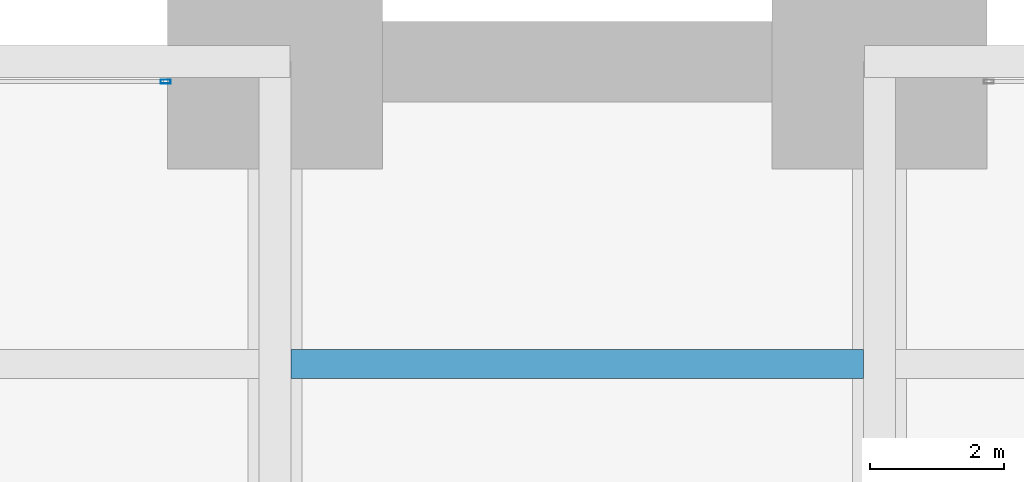
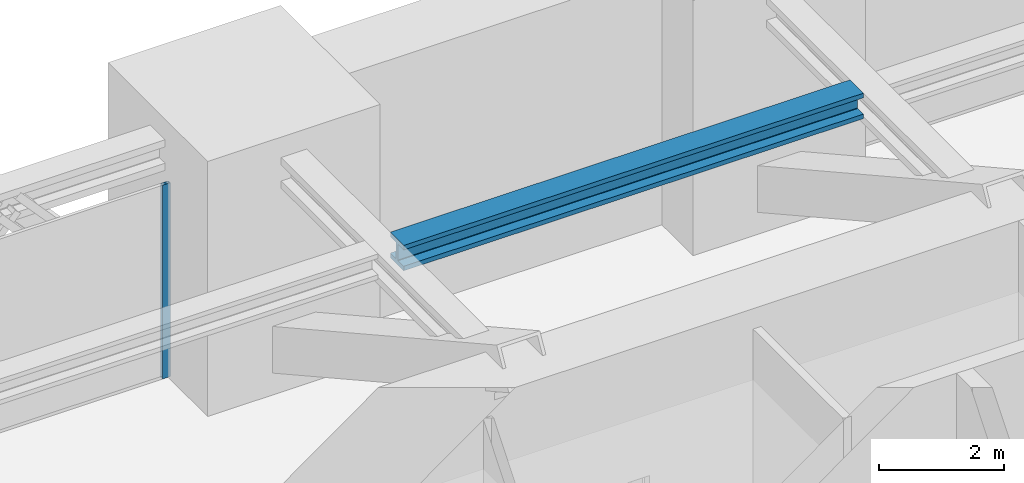
# One storey, part 27 of 38: 1 beam, 1 member, 1 element without a shape of its own.
"""IFC4 building model written with IfcOpenShell, lengths in metres."""

from ifc_helpers import new_model, si_unit, direction, frame, origin, origin_2d, place, context, subcontext, project, spatial, hollow_rectangle, i_section, extrude, material, material_profile, profile_set, type_object, element, aggregate, save


model = new_model("IFC4")

# Units and contexts
model_context = context("Model", 3, precision=1e-05, world=origin(), true_north=direction((0.0, 1.0)))
body_context = subcontext(model_context, "Body", "Model", "MODEL_VIEW")
ifc_project = project(units=[si_unit("LENGTHUNIT", "METRE"), si_unit("AREAUNIT", "SQUARE_METRE"), si_unit("VOLUMEUNIT", "CUBIC_METRE"), si_unit("PLANEANGLEUNIT", "RADIAN"), si_unit("MASSUNIT", "GRAM", prefix="KILO")], contexts=[model_context])

# Site, building, storey
site_placement = place(None, origin())
site = spatial("IfcSite", under=ifc_project, at=site_placement, CompositionType="ELEMENT")
building_placement = place(site_placement, origin())
building = spatial("IfcBuilding", under=site, at=building_placement, Name="Zorevar Civic Tower", CompositionType="ELEMENT")
storey_placement = place(building_placement, frame((0.0, 0.0, 157.199951171875)))
storey = spatial("IfcBuildingStorey", under=building, at=storey_placement, Name="L38", CompositionType="ELEMENT", Elevation=157.199951171875)

# Curtain wall, member
ifc_material_1 = material(Name="Black aluminium louvres", Category="aluminium")
curtain_wall_type = type_object("IfcCurtainWallType", Name="Louvred curtain wall CW6 refuge", PredefinedType="NOTDEFINED", material=ifc_material_1)
curtain_wall_placement = place(storey_placement, origin())
curtain_wall = element("IfcCurtainWall", 1, at=curtain_wall_placement, inside=storey, type_object=curtain_wall_type, Name="CW6 L38", PredefinedType="NOTDEFINED")
ifc_material_2 = material(Name="Aluminium, black anodised", Category="aluminium")
ifc_material_profile_1 = material_profile(ifc_material_2, hollow_rectangle(XDim=0.06005859375, YDim=0.14990234375, WallThickness=0.00390625, at=origin_2d()), Name="AL 150x60x4")
ifc_profile_set_1 = profile_set([ifc_material_profile_1], Name="Aluminium, black anodised")
member_type = type_object("IfcMemberType", Name="CW6 mullion AL 150x60x4", PredefinedType="MULLION", material=ifc_profile_set_1)
member_placement = place(storey_placement, frame((25.3701171875, 44.699951171875, 0.0), z_axis=(0.0, 0.0, 1.0), x_axis=(0.0, 1.0, 0.0)))
member = element("IfcMember", 2, at=member_placement, type_object=member_type, Name="CW6 mullion 2", PredefinedType="MULLION", context=body_context, shape_type="SweptSolid", body=[
    extrude(hollow_rectangle(XDim=0.06005859375, YDim=0.14990234375, WallThickness=0.00390625, at=origin_2d()), origin(), (0.0, 0.0, 1.0), 3.800048828125),
])
aggregate(curtain_wall, [member])

# Beam
ifc_material_3 = material(Name="Steel S460M (HISTAR 460)", Category="steel")
ifc_material_profile_2 = material_profile(ifc_material_3, i_section(OverallWidth=0.431884765625, OverallDepth=0.498046875, WebThickness=0.0556640625, FlangeThickness=0.0888671875, FilletRadius=0.014892578125, at=origin_2d()), Name="HD 400x744")
ifc_profile_set_2 = profile_set([ifc_material_profile_2], Name="Steel S460M (HISTAR 460)")
beam_type = type_object("IfcBeamType", Name="Core bay beam HD 400x744", PredefinedType="BEAM", material=ifc_profile_set_2)
beam_placement = place(storey_placement, frame((27.238037109375, 40.5, 4.35107421875), z_axis=(1.0, 0.0, 0.0), x_axis=(0.0, 1.0, 0.0)))
element("IfcBeam", 3, at=beam_placement, inside=storey, type_object=beam_type, Name="Secondary beam L39", PredefinedType="BEAM", context=body_context, shape_type="SweptSolid", body=[
    extrude(i_section(OverallWidth=0.431884765625, OverallDepth=0.498046875, WebThickness=0.0556640625, FlangeThickness=0.0888671875, FilletRadius=0.014892578125, at=origin_2d()), origin(), (0.0, 0.0, 1.0), 8.52392578125),
])

save(model, "model.ifc")
